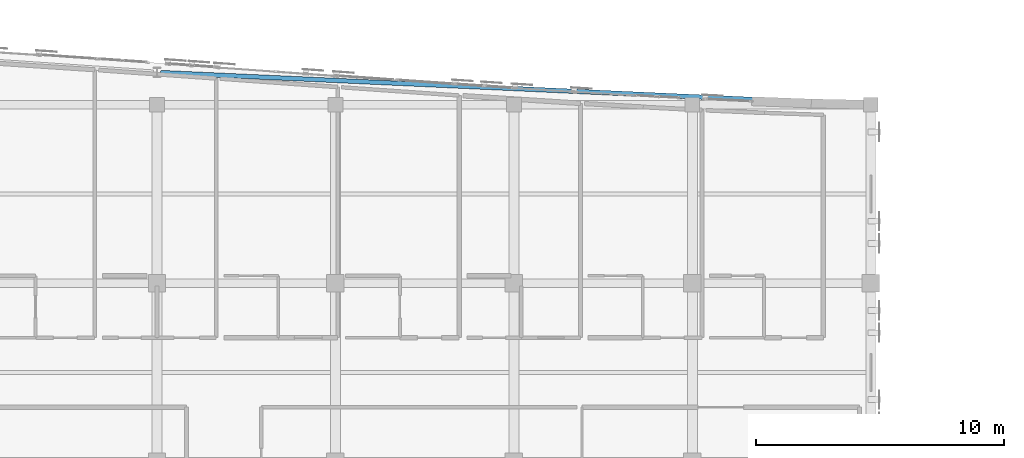
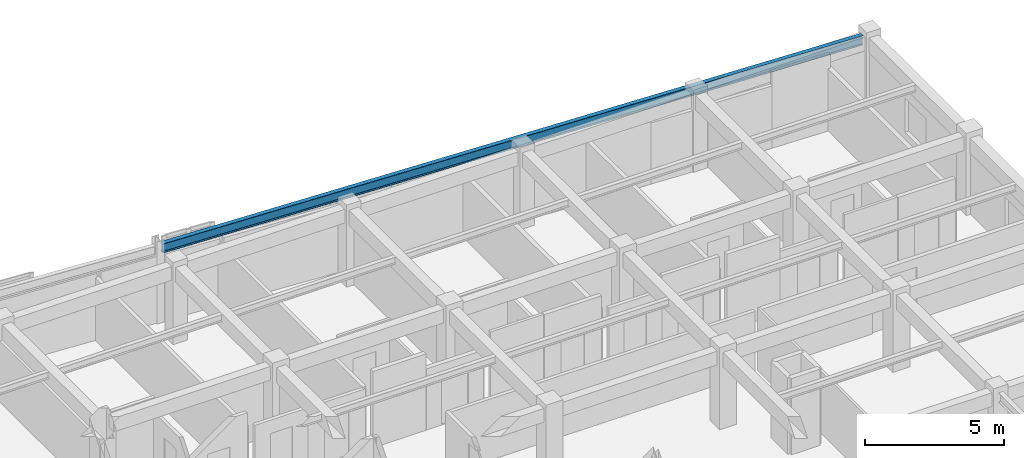
# One storey, part 39 of 73: 1 beam.
"""IFC4 building model written with IfcOpenShell, lengths in metres."""

from ifc_helpers import new_model, si_unit, direction, frame, origin, origin_2d, place, context, subcontext, project, spatial, i_section, extrude, material, material_profile, profile_set, type_object, element, save


model = new_model("IFC4")

# Units and contexts
model_context = context("Model", 3, precision=1e-05, world=origin(), true_north=direction((0.0, 1.0)))
body_context = subcontext(model_context, "Body", "Model", "MODEL_VIEW")
ifc_project = project(units=[si_unit("LENGTHUNIT", "METRE"), si_unit("AREAUNIT", "SQUARE_METRE"), si_unit("VOLUMEUNIT", "CUBIC_METRE"), si_unit("PLANEANGLEUNIT", "RADIAN"), si_unit("MASSUNIT", "GRAM", prefix="KILO")], contexts=[model_context])

# Site, building, storey
site_placement = place(None, origin())
site = spatial("IfcSite", under=ifc_project, at=site_placement, CompositionType="ELEMENT")
building_placement = place(site_placement, origin())
building = spatial("IfcBuilding", under=site, at=building_placement, Name="Carrowvane Square Congress Hotel", CompositionType="ELEMENT")
storey_placement = place(building_placement, frame((0.0, 0.0, 19.199951171875)))
storey = spatial("IfcBuildingStorey", under=building, at=storey_placement, Name="L04", CompositionType="ELEMENT", Elevation=19.199951171875)

# Beam
ifc_material = material(Name="Steel S355", Category="steel")
ifc_material_profile = material_profile(ifc_material, i_section(OverallWidth=0.1787109375, OverallDepth=0.409423828125, WebThickness=0.0087890625, FlangeThickness=0.014404296875, FilletRadius=0.01025390625, at=origin_2d()), Name="UKB 406x178x67")
ifc_profile_set = profile_set([ifc_material_profile], Name="Steel S355")
beam_type = type_object("IfcBeamType", Name="BM-ST-UKB406", PredefinedType="BEAM", material=ifc_profile_set)
beam_placement = place(storey_placement, frame((134.14990234375, 114.69921875, 3.145263671875), z_axis=(0.998973341492, -0.045301909323, 0.0), x_axis=(0.045301909323, 0.998973341492, 0.0)))
element("IfcBeam", 1, at=beam_placement, inside=storey, type_object=beam_type, Name="L05 curved north spandrel", PredefinedType="BEAM", context=body_context, shape_type="SweptSolid", body=[
    extrude(i_section(OverallWidth=0.1787109375, OverallDepth=0.409423828125, WebThickness=0.0087890625, FlangeThickness=0.014404296875, FilletRadius=0.01025390625, at=origin_2d()), origin(), (0.0, 0.0, 1.0), 28.37939453125),
])

save(model, "model.ifc")
